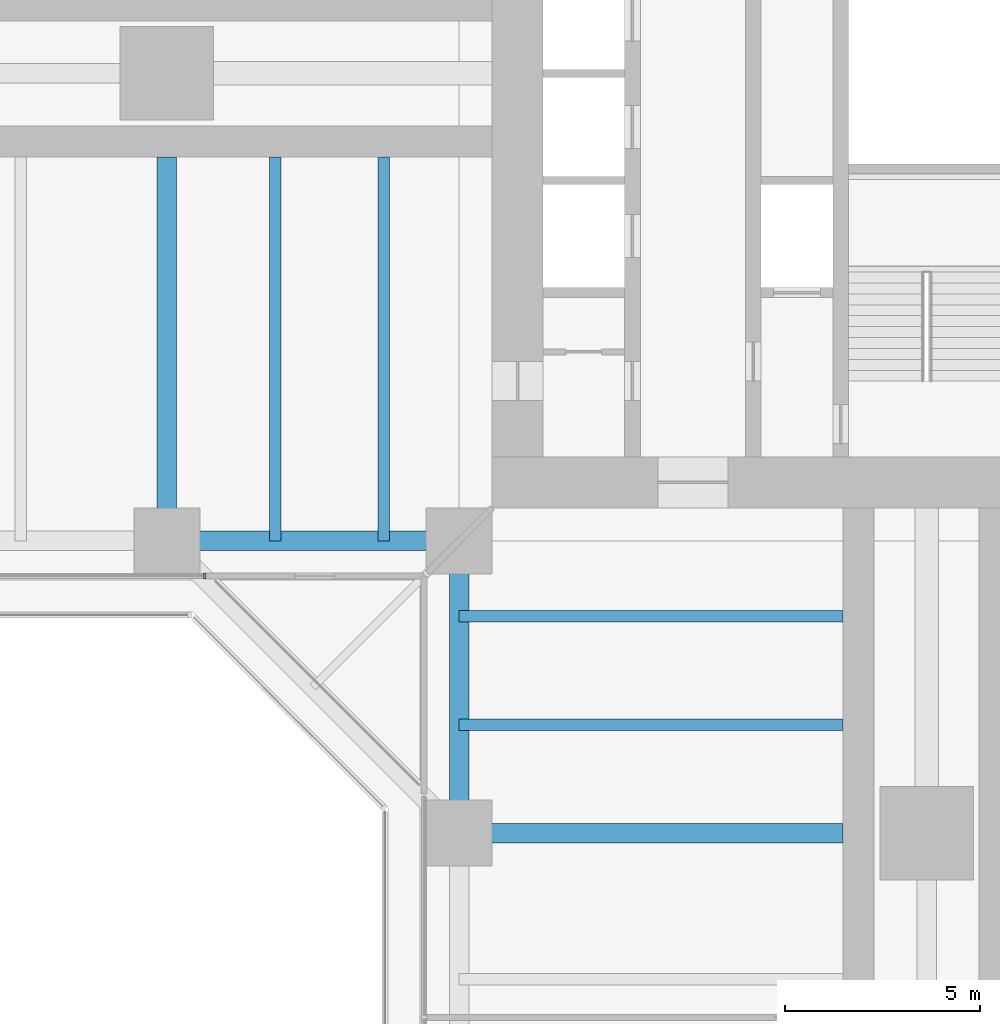
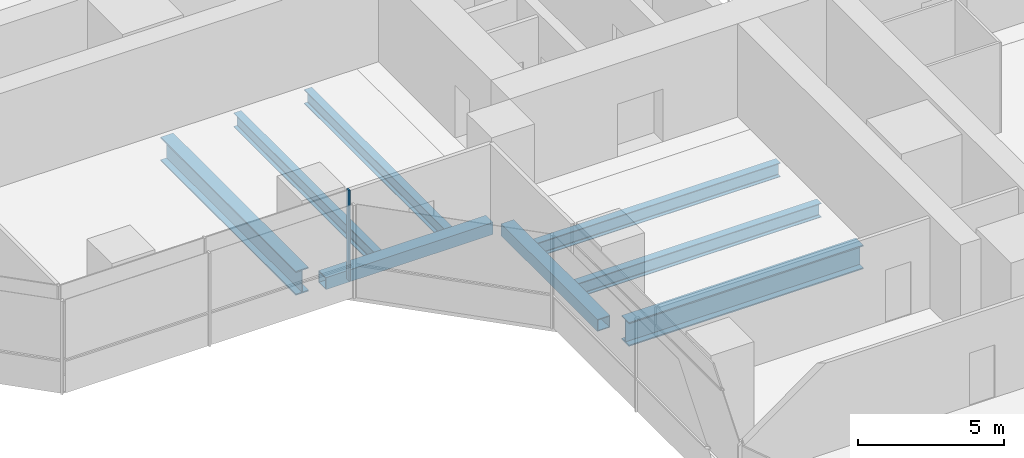
# One storey, part 4 of 22: 8 beams, 1 member, 1 element without a shape of its own.
"""IFC4 building model written with IfcOpenShell, lengths in metres."""

from ifc_helpers import new_model, si_unit, direction, frame, origin, origin_2d, place, context, subcontext, project, spatial, rectangle, hollow_rectangle, i_section, extrude, material, material_profile, profile_set, type_object, element, aggregate, save


model = new_model("IFC4")

# Units and contexts
model_context = context("Model", 3, precision=1e-05, world=origin(), true_north=direction((0.0, 1.0)))
body_context = subcontext(model_context, "Body", "Model", "MODEL_VIEW")
ifc_project = project(units=[si_unit("LENGTHUNIT", "METRE"), si_unit("AREAUNIT", "SQUARE_METRE"), si_unit("VOLUMEUNIT", "CUBIC_METRE"), si_unit("PLANEANGLEUNIT", "RADIAN"), si_unit("MASSUNIT", "GRAM", prefix="KILO")], contexts=[model_context])

# Site, building, storey
site_placement = place(None, origin())
site = spatial("IfcSite", under=ifc_project, at=site_placement, CompositionType="ELEMENT")
building_placement = place(site_placement, origin())
building = spatial("IfcBuilding", under=site, at=building_placement, Name="Mizan Broadcast Tower", CompositionType="ELEMENT")
storey_placement = place(building_placement, frame((0.0, 0.0, 82.5)))
storey = spatial("IfcBuildingStorey", under=building, at=storey_placement, Name="L17", CompositionType="ELEMENT", Elevation=82.5)

# Beams
ifc_material_1 = material(Name="Steel S355", Category="steel")
ifc_material_profile_1 = material_profile(ifc_material_1, hollow_rectangle(XDim=0.5, YDim=0.5, WallThickness=0.030029296875, at=origin_2d()), Name="BOX 500x500x30")
ifc_profile_set_1 = profile_set([ifc_material_profile_1], Name="Steel S355")
beam_type_1 = type_object("IfcBeamType", Name="EDGE BEAM BOX 500x500x30", PredefinedType="SPANDREL", material=ifc_profile_set_1)
for number, where, z_axis, x_axis, name in (
    (1, (-12.449951171875, -12.0, -0.3798828125), (-1.0, 0.0, 0.0), (0.0, -1.0, 0.0), "Edge beam BOX 500x500x30 L17 west arm"),
    (2, (-12.0, -12.449951171875, -0.3798828125), (0.0, -1.0, 0.0), (1.0, 0.0, 0.0), "Edge beam BOX 500x500x30 L17 south arm"),
):
    element("IfcBeam", number, at=place(storey_placement, frame(where, z_axis=z_axis, x_axis=x_axis)), inside=storey, type_object=beam_type_1, Name=name, PredefinedType="SPANDREL", context=body_context, shape_type="SweptSolid", body=[
        extrude(hollow_rectangle(XDim=0.5, YDim=0.5, WallThickness=0.030029296875, at=origin_2d()), origin(), (0.0, 0.0, 1.0), 6.60009765625),
    ])
ifc_material_2 = material(Name="Steel S460", Category="steel")
ifc_material_profile_2 = material_profile(ifc_material_2, i_section(OverallWidth=0.5, OverallDepth=1.0, WebThickness=0.02490234375, FlangeThickness=0.050048828125, at=origin_2d()), Name="WPG 1000x500")
ifc_profile_set_2 = profile_set([ifc_material_profile_2], Name="Steel S460")
beam_type_2 = type_object("IfcBeamType", Name="GIRDER WPG 1000x500", PredefinedType="BEAM", material=ifc_profile_set_2)
for number, where, z_axis, x_axis, name in (
    (3, (-19.5, -11.408935546875, -0.6298828125), (0.0, 1.0, 0.0), (-1.0, 0.0, 0.0), "Girder WPG 1000x500 L17 west arm"),
    (4, (-11.408935546875, -19.5, -0.6298828125), (1.0, 0.0, 0.0), (0.0, 1.0, 0.0), "Girder WPG 1000x500 L17 south arm"),
):
    element("IfcBeam", number, at=place(storey_placement, frame(where, z_axis=z_axis, x_axis=x_axis)), inside=storey, type_object=beam_type_2, Name=name, PredefinedType="BEAM", context=body_context, shape_type="SweptSolid", body=[
        extrude(i_section(OverallWidth=0.5, OverallDepth=1.0, WebThickness=0.02490234375, FlangeThickness=0.050048828125, at=origin_2d()), origin(), (0.0, 0.0, 1.0), 9.259033203125),
    ])

# Curtain wall, member
ifc_material_3 = material(Name="Aluminium framed glazing", Category="aluminium")
curtain_wall_type = type_object("IfcCurtainWallType", Name="INNER SKIN LOW ZONE", PredefinedType="USERDEFINED", material=ifc_material_3)
curtain_wall_placement = place(storey_placement, origin())
curtain_wall = element("IfcCurtainWall", 5, at=curtain_wall_placement, inside=storey, type_object=curtain_wall_type, Name="Inner skin low zone L17 W side", ObjectType="INNER SKIN LOW ZONE", PredefinedType="USERDEFINED")
ifc_material_4 = material(Name="Aluminium, pale anodised", Category="aluminium")
ifc_material_profile_3 = material_profile(ifc_material_4, rectangle(XDim=0.159912109375, YDim=0.06005859375, at=origin_2d()), Name="MULLION 160x60")
ifc_profile_set_3 = profile_set([ifc_material_profile_3], Name="Aluminium, pale anodised")
member_type = type_object("IfcMemberType", Name="INNER SKIN MULLION 60x160", PredefinedType="MULLION", material=ifc_profile_set_3)
member_placement = place(storey_placement, frame((-18.530029296875, -12.89990234375, 0.0), z_axis=(0.0, 0.0, 1.0), x_axis=(0.0, 1.0, 0.0)))
member = element("IfcMember", 6, at=member_placement, type_object=member_type, Name="Inner skin low zone L17 W side mullion 3", PredefinedType="MULLION", context=body_context, shape_type="SweptSolid", body=[
    extrude(rectangle(XDim=0.159912109375, YDim=0.06005859375, at=origin_2d()), origin(), (0.0, 0.0, 1.0), 3.77001953125),
])
aggregate(curtain_wall, [member])

# Beams
ifc_material_5 = material(Name="Steel S355", Category="steel")
ifc_material_profile_4 = material_profile(ifc_material_5, i_section(OverallWidth=0.300048828125, OverallDepth=0.590087890625, WebThickness=0.012939453125, FlangeThickness=0.02490234375, FilletRadius=0.027099609375, at=origin_2d()), Name="HEA 600")
ifc_profile_set_4 = profile_set([ifc_material_profile_4], Name="Steel S355")
beam_type_3 = type_object("IfcBeamType", Name="SECONDARY BEAM HEA 600", PredefinedType="JOIST", material=ifc_profile_set_4)
for number, where, z_axis, x_axis, name in (
    (7, (-13.933349609375, -12.0, -0.425048828125), (0.0, 1.0, 0.0), (-1.0, 0.0, 0.0), "Secondary beam HEA 600 L17 west arm"),
    (8, (-16.716552734375, -12.0, -0.425048828125), (0.0, 1.0, 0.0), (-1.0, 0.0, 0.0), "Secondary beam HEA 600 L17 west arm"),
    (9, (-12.0, -13.933349609375, -0.425048828125), (1.0, 0.0, 0.0), (0.0, 1.0, 0.0), "Secondary beam HEA 600 L17 south arm"),
    (10, (-12.0, -16.716552734375, -0.425048828125), (1.0, 0.0, 0.0), (0.0, 1.0, 0.0), "Secondary beam HEA 600 L17 south arm"),
):
    element("IfcBeam", number, at=place(storey_placement, frame(where, z_axis=z_axis, x_axis=x_axis)), inside=storey, type_object=beam_type_3, Name=name, PredefinedType="JOIST", context=body_context, shape_type="SweptSolid", body=[
        extrude(i_section(OverallWidth=0.300048828125, OverallDepth=0.590087890625, WebThickness=0.012939453125, FlangeThickness=0.02490234375, FilletRadius=0.027099609375, at=origin_2d()), origin(), (0.0, 0.0, 1.0), 9.85009765625),
    ])

save(model, "model.ifc")
